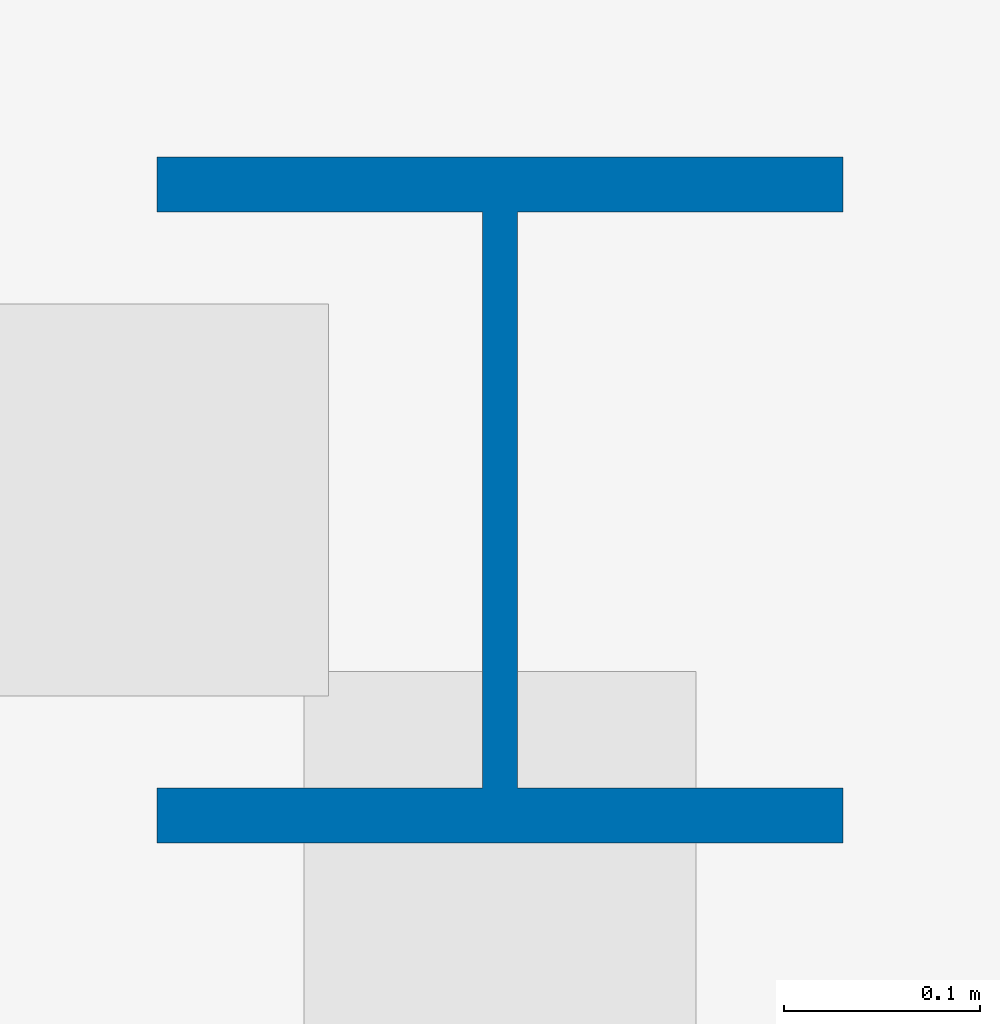
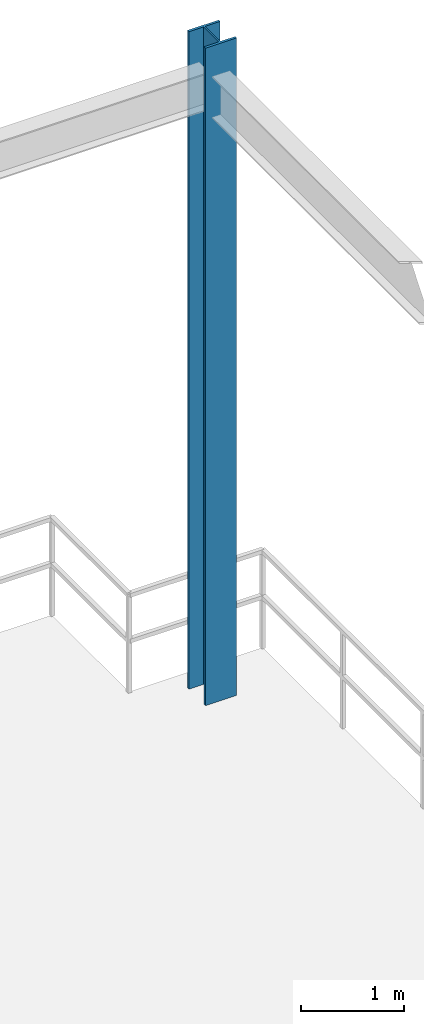
# One storey, part 4 of 15: 1 column.
"""IFC4 building model written with IfcOpenShell, lengths in metres."""

from ifc_helpers import new_model, si_unit, direction, frame, origin, origin_2d, place, context, subcontext, project, spatial, i_section, extrude, source, transform, mapped, material, material_profile, profile_set, type_object, element, save


model = new_model("IFC4")

# Units and contexts
model_context = context("Model", 3, precision=1e-05, world=origin(), true_north=direction((0.0, 1.0)))
body_context = subcontext(model_context, "Body", "Model", "MODEL_VIEW")
ifc_project = project(units=[si_unit("LENGTHUNIT", "METRE"), si_unit("AREAUNIT", "SQUARE_METRE"), si_unit("VOLUMEUNIT", "CUBIC_METRE"), si_unit("PLANEANGLEUNIT", "RADIAN"), si_unit("MASSUNIT", "GRAM", prefix="KILO")], contexts=[model_context])

# Site, building, storey
site_placement = place(None, origin())
site = spatial("IfcSite", under=ifc_project, at=site_placement, CompositionType="ELEMENT")
building_placement = place(site_placement, origin())
building = spatial("IfcBuilding", under=site, at=building_placement, Name="Trelvane Seafront Commons", CompositionType="ELEMENT")
storey_placement = place(building_placement, frame((0.0, 0.0, 240.89990234375)))
storey = spatial("IfcBuildingStorey", under=building, at=storey_placement, Name="L63", CompositionType="ELEMENT", Elevation=240.89990234375)

# Column
ifc_material = material(Name="Steel SM355 (S355)", Category="steel")
ifc_material_profile = material_profile(ifc_material, i_section(OverallWidth=0.35009765625, OverallDepth=0.35009765625, WebThickness=0.01806640625, FlangeThickness=0.028076171875, at=origin_2d()), Name="HD-350x350x18x28")
ifc_profile_set = profile_set([ifc_material_profile], Name="Steel SM355 (S355)")
column_type = type_object("IfcColumnType", Name="STR-COL-HD350", PredefinedType="COLUMN", material=ifc_profile_set)
shared_shape = source(origin(), body_context, "Body", "SweptSolid", [
    extrude(i_section(OverallWidth=0.35009765625, OverallDepth=0.35009765625, WebThickness=0.01806640625, FlangeThickness=0.028076171875, at=origin_2d()), origin(), (0.0, 0.0, 1.0), 7.800048828125),
])
column_placement = place(storey_placement, frame((65.60009765625, 45.10009765625, 0.0), z_axis=(0.0, 0.0, 1.0), x_axis=(1.0, 0.0, 0.0)))
element("IfcColumn", 1, at=column_placement, inside=storey, type_object=column_type, Name="L63 Column TC-CN65.6", PredefinedType="COLUMN", context=body_context, shape_type="MappedRepresentation", body=[
    mapped(shared_shape, transform((0.0, 0.0, 0.0), x_axis=(1.0, 0.0, 0.0), y_axis=(0.0, 1.0, 0.0), z_axis=(0.0, 0.0, 1.0), scale=1.0)),
])

save(model, "model.ifc")
